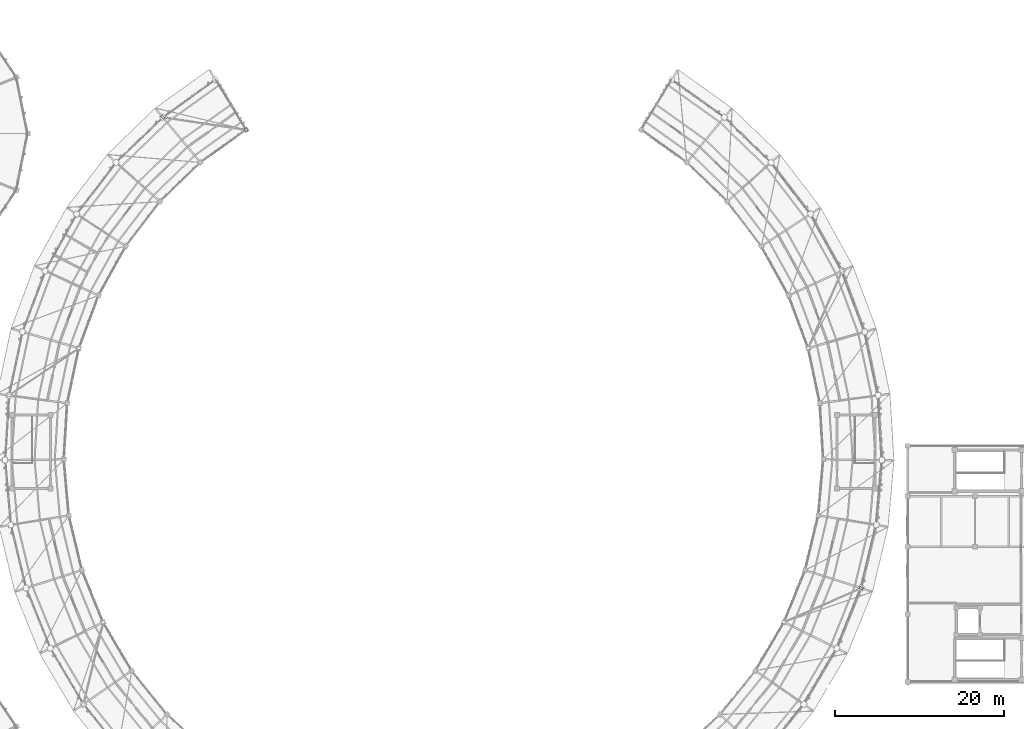
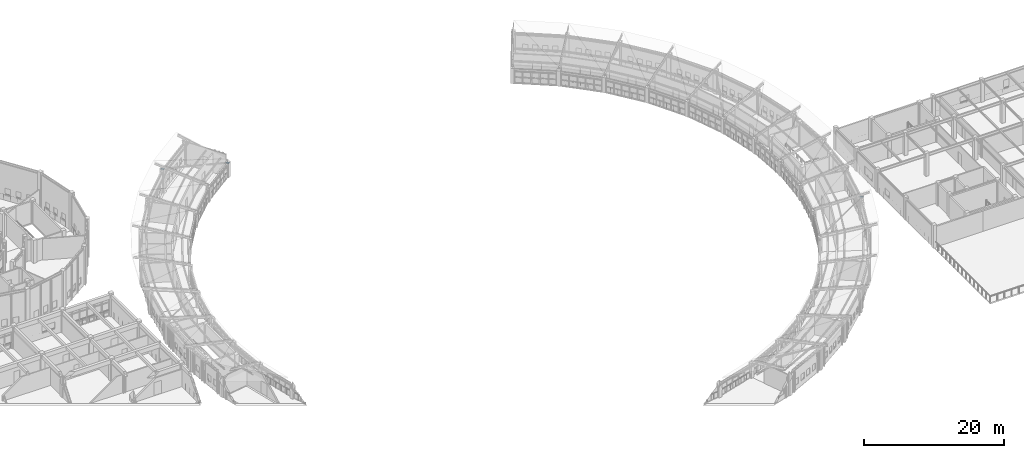
# One storey, part 114 of 149: 3 plates.
"""IFC4 building model written with IfcOpenShell, lengths in metres."""

import ifcopenshell
import ifcopenshell.guid

model = None  # the IFC model being written
_history = None  # IfcOwnerHistory: only IFC2X3 demands one
_inside = {}  # id of a spatial element -> (the spatial element, [elements in it])
_under = {}  # id of a project, library or spatial element -> (it, [spatial elements below it])
_declared = {}  # id of a project -> (the project, [libraries it declares])
_typed = {}  # id of a type object -> (the type object, [elements of that type])
_made_of = {}  # id of a material, layer set ... -> (it, [elements and type objects made of it])


def new_model(schema):
    """Start an empty IFC model of exactly this schema.

    Asked for "IFC4X3", IfcOpenShell would pick the latest addendum, in which some entities
    have other attributes; the version numbers below select the first issue.
    IFC2X3 requires an IfcOwnerHistory on every rooted entity: one is made here for all.
    """
    global model, _history
    if schema == "IFC4X3":
        model = ifcopenshell.file(schema_version=(4, 3, 0, 0))
    else:
        model = ifcopenshell.file(schema=schema)
    _inside.clear()
    _under.clear()
    _declared.clear()
    _typed.clear()
    _made_of.clear()
    _history = None
    if model.schema == "IFC2X3":
        org = make("IfcOrganization", Name="unknown")
        user = make(
            "IfcPersonAndOrganization",
            ThePerson=make("IfcPerson", FamilyName="unknown"),
            TheOrganization=org,
        )
        app = make(
            "IfcApplication",
            ApplicationDeveloper=org,
            Version="unknown",
            ApplicationFullName="unknown",
            ApplicationIdentifier="unknown",
        )
        _history = make(
            "IfcOwnerHistory",
            OwningUser=user,
            OwningApplication=app,
            ChangeAction="ADDED",
            CreationDate=0,
        )
    return model


def make(cls, **values):
    """One entity of the class cls with the attributes given. An attribute that is None is left unset."""
    return model.create_entity(
        cls, **{name: value for name, value in values.items() if value is not None}
    )


def rooted(cls, **values):
    """An entity with a GlobalId (a new one), such as an element, a storey or a relation."""
    return make(cls, GlobalId=ifcopenshell.guid.new(), OwnerHistory=_history, **values)


def si_unit(unit_type, name, prefix=None):
    """IfcSIUnit, for example si_unit("LENGTHUNIT", "METRE", prefix="MILLI")."""
    return make("IfcSIUnit", UnitType=unit_type, Prefix=prefix, Name=name)


def assignment(units):
    """IfcUnitAssignment: the units of a project."""
    return None if units is None else make("IfcUnitAssignment", Units=units)


def point(xyz):
    """IfcCartesianPoint."""
    return None if xyz is None else make("IfcCartesianPoint", Coordinates=xyz)


def direction(xyz):
    """IfcDirection."""
    return None if xyz is None else make("IfcDirection", DirectionRatios=xyz)


def frame(location, z_axis=None, x_axis=None):
    """IfcAxis2Placement3D, a coordinate frame: its origin and axes. An axis left out is left unset."""
    return make(
        "IfcAxis2Placement3D",
        Location=point(location),
        Axis=direction(z_axis),
        RefDirection=direction(x_axis),
    )


def frame_2d(location, x_axis=None):
    """IfcAxis2Placement2D, a coordinate frame in the plane: its origin and x axis."""
    return make(
        "IfcAxis2Placement2D", Location=point(location), RefDirection=direction(x_axis)
    )


def origin():
    """The frame at (0, 0, 0) with its axes left unset."""
    return frame((0.0, 0.0, 0.0))


def origin_2d():
    """The frame at (0, 0) in the plane with its x axis left unset."""
    return frame_2d((0.0, 0.0))


def place(relative_to, where):
    """IfcLocalPlacement: puts the frame where relative to a parent placement (None: the world)."""
    return make(
        "IfcLocalPlacement", PlacementRelTo=relative_to, RelativePlacement=where
    )


def context(
    kind, dimensions, precision=None, world=None, true_north=None, identifier=None
):
    """IfcGeometricRepresentationContext, for example the 3D "Model" context."""
    return make(
        "IfcGeometricRepresentationContext",
        ContextIdentifier=identifier,
        ContextType=kind,
        CoordinateSpaceDimension=dimensions,
        Precision=precision,
        WorldCoordinateSystem=world,
        TrueNorth=true_north,
    )


def subcontext(parent, identifier, kind, view, scale=None):
    """IfcGeometricRepresentationSubContext, for example "Body" below "Model"."""
    return make(
        "IfcGeometricRepresentationSubContext",
        ContextIdentifier=identifier,
        ContextType=kind,
        ParentContext=parent,
        TargetScale=scale,
        TargetView=view,
    )


def project(units=None, contexts=None):
    """IfcProject with its units and contexts."""
    return rooted(
        "IfcProject",
        Name="project",
        RepresentationContexts=contexts,
        UnitsInContext=assignment(units),
    )


def spatial(cls, under=None, at=None, **own):
    """A site, building, storey or space (cls), placed at a placement, below another one or the project."""
    s = rooted(cls, ObjectPlacement=at, **own)
    if under is not None:
        _under.setdefault(under.id(), (under, []))[1].append(s)
    return s


def profile(cls, at=None, kind="AREA", **sizes):
    """A parametric profile (cls). Its sizes go by their IFC names, for example OverallWidth=200.0."""
    return make(cls, ProfileType=kind, Position=at, **sizes)


def rectangle(**sizes):
    """IfcRectangleProfileDef."""
    return profile("IfcRectangleProfileDef", **sizes)


def extrude(swept, where, along, depth):
    """IfcExtrudedAreaSolid: the profile swept, set in the frame where, extruded along a direction by depth."""
    return make(
        "IfcExtrudedAreaSolid",
        SweptArea=swept,
        Position=where,
        ExtrudedDirection=direction(along),
        Depth=depth,
    )


def shape(context_of_items, identifier, shape_type, items):
    """IfcShapeRepresentation: the items that make up one representation, for example the "Body"."""
    return make(
        "IfcShapeRepresentation",
        ContextOfItems=context_of_items,
        RepresentationIdentifier=identifier,
        RepresentationType=shape_type,
        Items=items,
    )


def material(Name=None, Category=None):
    """IfcMaterial."""
    return make("IfcMaterial", Name=Name, Category=Category)


def layer(
    of_material, thickness, ventilated=None, Name=None, Category=None, Priority=None
):
    """IfcMaterialLayer: one layer of a wall or slab, of a material (None: an air gap)."""
    return make(
        "IfcMaterialLayer",
        Material=of_material,
        LayerThickness=thickness,
        IsVentilated=ventilated,
        Name=Name,
        Category=Category,
        Priority=Priority,
    )


def layer_set(layers, Name=None):
    """IfcMaterialLayerSet."""
    return make("IfcMaterialLayerSet", MaterialLayers=layers, LayerSetName=Name)


def made_of(thing, what):
    """Note that an element or type object is made of a material, layer set ...; save() writes the relation."""
    if what is not None:
        _made_of.setdefault(what.id(), (what, []))[1].append(thing)
    return thing


def type_object(cls, material=None, **own):
    """A type object (cls), such as IfcWallType, which elements share."""
    return made_of(rooted(cls, **own), material)


def element(
    cls,
    number,
    at=None,
    inside=None,
    cuts=None,
    type_object=None,
    material=None,
    context=None,
    identifier="Body",
    shape_type=None,
    held_by="IfcProductDefinitionShape",
    body=None,
    shapes=None,
    **own,
):
    """One element of the class cls, such as IfcWall. Its Tag is "e" and its number.

    at: its placement. inside: the storey or other place that contains it. cuts: it is an
    opening in that element (IfcRelVoidsElement). A single representation is given by context,
    identifier, shape_type and body (its items); several are given by shapes. held_by: the class
    of the entity that holds the representations. save() writes the other relations.
    """
    e = rooted(cls, Tag="e%d" % number, ObjectPlacement=at, **own)
    if body is not None:
        shapes = [shape(context, identifier, shape_type, body)]
    if shapes is not None:
        e.Representation = make(held_by, Representations=shapes)
    if inside is not None:
        _inside.setdefault(inside.id(), (inside, []))[1].append(e)
    if cuts is not None:
        rooted(
            "IfcRelVoidsElement", RelatingBuildingElement=cuts, RelatedOpeningElement=e
        )
    if type_object is not None:
        _typed.setdefault(type_object.id(), (type_object, []))[1].append(e)
    return made_of(e, material)


def aggregate(whole, parts):
    """IfcRelAggregates: a whole, such as a stair, and the parts it consists of."""
    return rooted("IfcRelAggregates", RelatingObject=whole, RelatedObjects=parts)


def save(model, path):
    """Write the relations noted so far, then the file.

    IfcRelAggregates (storeys below a building ...), IfcRelContainedInSpatialStructure (elements
    in a storey), IfcRelDefinesByType, IfcRelAssociatesMaterial and IfcRelDeclares: one each for
    every whole, place, type object, material and project.
    """
    for whole, parts in _under.values():
        aggregate(whole, parts)
    for where, things in _inside.values():
        rooted(
            "IfcRelContainedInSpatialStructure",
            RelatedElements=things,
            RelatingStructure=where,
        )
    for kind, things in _typed.values():
        rooted("IfcRelDefinesByType", RelatedObjects=things, RelatingType=kind)
    for what, things in _made_of.values():
        rooted("IfcRelAssociatesMaterial", RelatedObjects=things, RelatingMaterial=what)
    for by, libraries in _declared.values():
        rooted("IfcRelDeclares", RelatingContext=by, RelatedDefinitions=libraries)
    model.write(path)


model = new_model("IFC4")

# Units and contexts
model_context = context("Model", 3, precision=1e-05, world=origin(), true_north=direction((0.0, 1.0)))
body_context = subcontext(model_context, "Body", "Model", "MODEL_VIEW")
ifc_project = project(units=[si_unit("LENGTHUNIT", "METRE"), si_unit("AREAUNIT", "SQUARE_METRE"), si_unit("VOLUMEUNIT", "CUBIC_METRE"), si_unit("PLANEANGLEUNIT", "RADIAN"), si_unit("MASSUNIT", "GRAM", prefix="KILO")], contexts=[model_context])

# Site, building, storey
site_placement = place(None, origin())
site = spatial("IfcSite", under=ifc_project, at=site_placement, CompositionType="ELEMENT")
building_placement = place(site_placement, origin())
building = spatial("IfcBuilding", under=site, at=building_placement, Name="Celadon Cloister-Ring School", CompositionType="ELEMENT")
storey_placement = place(building_placement, frame((0.0, 0.0, 12.5)))
storey = spatial("IfcBuildingStorey", under=building, at=storey_placement, Name="L03", CompositionType="ELEMENT", Elevation=12.5)

# Plates
ifc_material = material(Name="Structural steel S355JR", Category="steel")
ifc_layer = layer(ifc_material, 0.011962890625)
ifc_layer_set = layer_set([ifc_layer], Name="Structural steel S355JR")
plate_type = type_object("IfcPlateType", Name="PT-04", PredefinedType="SHEET", material=ifc_layer_set)
for number, where, z_axis, x_axis, name in (
    (1, (63.60791015625, 97.44189453125, 2.44384765625), (0.0, 0.0, 1.0), (-0.519817342621, 0.854277431699, 0.0), "Gusset Plate 0039"),
    (2, (53.702880859375, 98.94091796875, 3.94384765625), (0.0, 0.0, 1.0), (-0.640324219757, 0.76810474129, 0.0), "Gusset Plate 0040"),
    (3, (136.514892578125, 43.117919921875, 3.94384765625), (0.0, 0.0, 1.0), (0.95221472185, -0.305429408362, 0.0), "Gusset Plate 0050"),
):
    element("IfcPlate", number, at=place(storey_placement, frame(where, z_axis=z_axis, x_axis=x_axis)), inside=storey, type_object=plate_type, Name=name, PredefinedType="SHEET", context=body_context, shape_type="SweptSolid", body=[
        extrude(rectangle(XDim=0.449951171875, YDim=0.300048828125, at=origin_2d()), origin(), (0.0, 0.0, 1.0), 0.011962890625),
    ])

save(model, "model.ifc")
